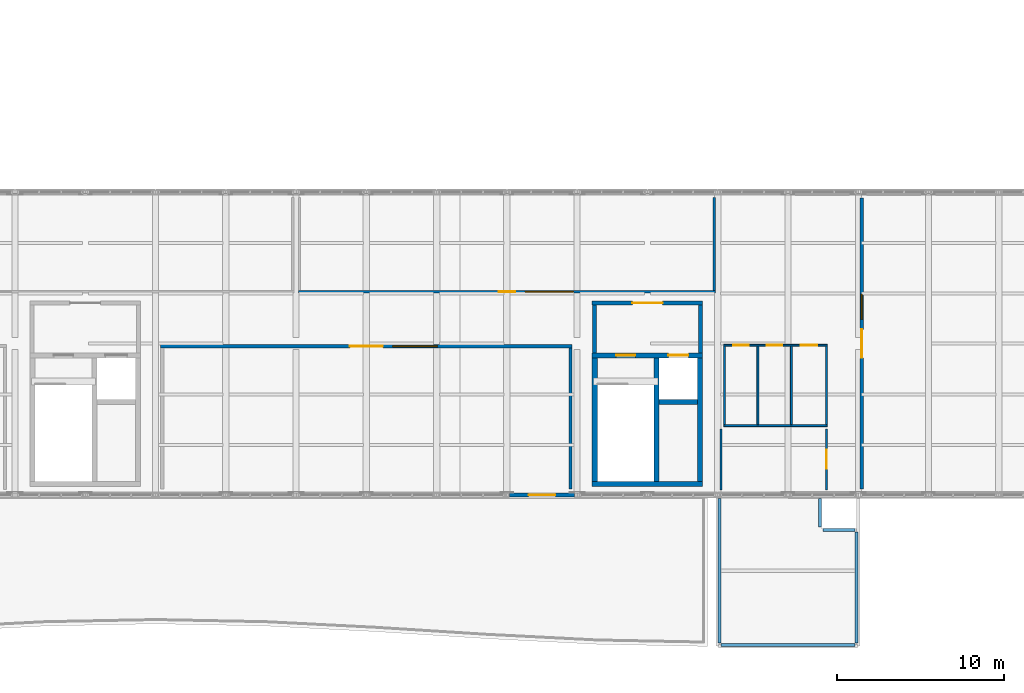
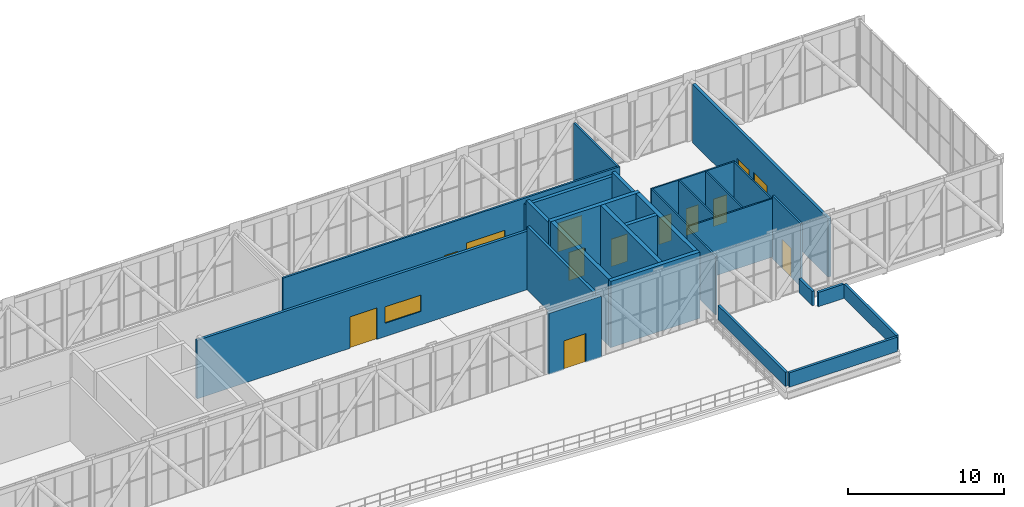
# One storey, part 56 of 58: 28 walls, 11 doors, 3 windows, 14 openings.
"""IFC4 building model written with IfcOpenShell, lengths in metres."""

from ifc_helpers import new_model, si_unit, direction, frame, frame_2d, origin, place, context, subcontext, project, spatial, rectangle, extrude, material, layer, layer_set, type_object, element, fill, save


model = new_model("IFC4")

# Units and contexts
model_context = context("Model", 3, precision=1e-05, world=origin(), true_north=direction((0.0, 1.0)))
body_context = subcontext(model_context, "Body", "Model", "MODEL_VIEW")
ifc_project = project(units=[si_unit("LENGTHUNIT", "METRE"), si_unit("AREAUNIT", "SQUARE_METRE"), si_unit("VOLUMEUNIT", "CUBIC_METRE"), si_unit("PLANEANGLEUNIT", "RADIAN"), si_unit("MASSUNIT", "GRAM", prefix="KILO")], contexts=[model_context])

# Site, building, storey
site_placement = place(None, origin())
site = spatial("IfcSite", under=ifc_project, at=site_placement, CompositionType="ELEMENT")
building_placement = place(site_placement, origin())
building = spatial("IfcBuilding", under=site, at=building_placement, Name="Khurvash Pelagic Aquarium", CompositionType="ELEMENT")
storey_placement = place(building_placement, frame((0.0, 0.0, 24.60009765625)))
storey = spatial("IfcBuildingStorey", under=building, at=storey_placement, Name="L05", CompositionType="ELEMENT", Elevation=24.60009765625)

# Wall, opening, door
ifc_material_1 = material(Name="Glass-fibre reinforced concrete C40/50", Category="concrete")
ifc_layer_1 = layer(ifc_material_1, 0.239990234375)
ifc_layer_set_1 = layer_set([ifc_layer_1], Name="Glass-fibre reinforced concrete C40/50")
wall_type_1 = type_object("IfcWallType", Name="EW-240", PredefinedType="STANDARD", material=ifc_layer_set_1)
wall_1_placement = place(storey_placement, frame((88.360107421875, 11.64990234375, 0.0), z_axis=(0.0, 0.0, 1.0), x_axis=(1.0, 0.0, 0.0)))
wall_1 = element("IfcWall", 1, at=wall_1_placement, inside=storey, type_object=wall_type_1, Name="L05 Sky-Bar South Terrace Portal Wall EW-240 18", PredefinedType="STANDARD", context=body_context, shape_type="SweptSolid", body=[
    extrude(rectangle(XDim=3.8798828125, YDim=0.239990234375, at=frame_2d((1.93994140625, 0.0))), origin(), (0.0, 0.0, 1.0), 4.77978515625),
])
opening_1_placement = place(wall_1_placement, frame((1.139892578125, 0.0, 0.0)))
opening_1 = element("IfcOpeningElement", 2, at=opening_1_placement, cuts=wall_1, Name="Opening ED-03", PredefinedType="OPENING", context=body_context, shape_type="SweptSolid", body=[
    extrude(rectangle(XDim=1.60009765625, YDim=2.25, at=frame_2d((0.800048828125, 1.125))), frame((0.0, 0.1298828125, 0.0), z_axis=(0.0, -1.0, 0.0), x_axis=(1.0, 0.0, 0.0)), (0.0, 0.0, 1.0), 0.260009765625),
])
ifc_material_2 = material(Name="Thermally broken glazed aluminium", Category="aluminium")
door_type_1 = type_object("IfcDoorType", Name="ED-03", OperationType="DOUBLE_DOOR_SINGLE_SWING", PredefinedType="DOOR", material=ifc_material_2)
door_1_placement = place(opening_1_placement, frame((1.60009765625, 0.0, 0.0), z_axis=(0.0, 0.0, 1.0), x_axis=(-1.0, 0.0, 0.0)))
door_1 = element("IfcDoor", 3, at=door_1_placement, inside=storey, type_object=door_type_1, Name="DR-0251", OperationType="DOUBLE_DOOR_SINGLE_SWING", OverallHeight=2.25, OverallWidth=1.60009765625, PredefinedType="DOOR", context=body_context, shape_type="SweptSolid", body=[
    extrude(rectangle(XDim=1.60009765625, YDim=2.25, at=frame_2d((0.800048828125, 1.125))), frame((0.0, 0.02490234375, 0.0), z_axis=(0.0, -1.0, 0.0), x_axis=(1.0, 0.0, 0.0)), (0.0, 0.0, 1.0), 0.050048828125),
])
fill(opening_1, door_1)

# Walls
ifc_material_3 = material(Name="Precast concrete C40/50", Category="concrete")
ifc_layer_2 = layer(ifc_material_3, 0.179931640625)
ifc_layer_set_2 = layer_set([ifc_layer_2], Name="Precast concrete C40/50")
wall_type_2 = type_object("IfcWallType", Name="PP-180", PredefinedType="PARAPET", material=ifc_layer_set_2)
wall_2_placement = place(storey_placement, frame((109.0, 2.699951171875, 0.0), z_axis=(0.0, 0.0, 1.0), x_axis=(-1.0, 0.0, 0.0)))
element("IfcWall", 4, at=wall_2_placement, inside=storey, type_object=wall_type_2, Name="L05 Roof Perimeter Parapet Wall PP-180", PredefinedType="PARAPET", context=body_context, shape_type="SweptSolid", body=[
    extrude(rectangle(XDim=8.0, YDim=0.179931640625, at=frame_2d((4.0, 0.0))), origin(), (0.0, 0.0, 1.0), 1.119873046875),
])
wall_3_placement = place(storey_placement, frame((100.89990234375, 2.800048828125, 0.0), z_axis=(0.0, 0.0, 1.0), x_axis=(0.0, 1.0, 0.0)))
element("IfcWall", 5, at=wall_3_placement, inside=storey, type_object=wall_type_2, Name="L05 Roof Perimeter Parapet Wall PP-180", PredefinedType="PARAPET", context=body_context, shape_type="SweptSolid", body=[
    extrude(rectangle(XDim=8.64990234375, YDim=0.179931640625, at=frame_2d((4.324951171875, 0.0))), origin(), (0.0, 0.0, 1.0), 1.119873046875),
])
wall_4_placement = place(storey_placement, frame((106.89990234375, 11.449951171875, 0.0), z_axis=(0.0, 0.0, 1.0), x_axis=(0.0, -1.0, 0.0)))
element("IfcWall", 6, at=wall_4_placement, inside=storey, type_object=wall_type_2, Name="L05 Roof Perimeter Parapet Wall PP-180", PredefinedType="PARAPET", context=body_context, shape_type="SweptSolid", body=[
    extrude(rectangle(XDim=1.699951171875, YDim=0.179931640625, at=frame_2d((0.85009765625, 0.0))), origin(), (0.0, 0.0, 1.0), 1.119873046875),
])
wall_5_placement = place(storey_placement, frame((107.10009765625, 9.550048828125, 0.0), z_axis=(0.0, 0.0, 1.0), x_axis=(1.0, 0.0, 0.0)))
element("IfcWall", 7, at=wall_5_placement, inside=storey, type_object=wall_type_2, Name="L05 Roof Perimeter Parapet Wall PP-180", PredefinedType="PARAPET", context=body_context, shape_type="SweptSolid", body=[
    extrude(rectangle(XDim=1.89990234375, YDim=0.179931640625, at=frame_2d((0.949951171875, 0.0))), origin(), (0.0, 0.0, 1.0), 1.119873046875),
])
wall_6_placement = place(storey_placement, frame((109.10009765625, 9.449951171875, 0.0), z_axis=(0.0, 0.0, 1.0), x_axis=(0.0, -1.0, 0.0)))
element("IfcWall", 8, at=wall_6_placement, inside=storey, type_object=wall_type_2, Name="L05 Roof Perimeter Parapet Wall PP-180", PredefinedType="PARAPET", context=body_context, shape_type="SweptSolid", body=[
    extrude(rectangle(XDim=6.64990234375, YDim=0.179931640625, at=frame_2d((3.324951171875, 0.0))), origin(), (0.0, 0.0, 1.0), 1.119873046875),
])

# Wall, openings, doors
ifc_material_4 = material(Name="Ceramic-tiled wet-room partition", Category="masonry")
ifc_layer_3 = layer(ifc_material_4, 0.110107421875)
ifc_layer_set_3 = layer_set([ifc_layer_3], Name="Ceramic-tiled wet-room partition")
wall_type_3 = type_object("IfcWallType", Name="PW-110", PredefinedType="PARTITIONING", material=ifc_layer_set_3)
wall_7_placement = place(storey_placement, frame((101.14501953125, 20.60009765625, 0.0), z_axis=(0.0, 0.0, 1.0), x_axis=(1.0, 0.0, 0.0)))
wall_7 = element("IfcWall", 9, at=wall_7_placement, inside=storey, type_object=wall_type_3, Name="L05 Restroom Bank Corridor Wall PW-110", PredefinedType="PARTITIONING", context=body_context, shape_type="SweptSolid", body=[
    extrude(rectangle(XDim=6.2099609375, YDim=0.110107421875, at=frame_2d((3.10498046875, 0.0))), origin(), (0.0, 0.0, 1.0), 4.56787109375),
])
opening_2_placement = place(wall_7_placement, frame((0.594970703125, 0.0, 0.0)))
opening_2 = element("IfcOpeningElement", 10, at=opening_2_placement, cuts=wall_7, Name="Opening ID-01", PredefinedType="OPENING", context=body_context, shape_type="SweptSolid", body=[
    extrude(rectangle(XDim=0.919921875, YDim=2.10009765625, at=frame_2d((0.4599609375, 1.050048828125))), frame((0.0, 0.06494140625, 0.0), z_axis=(0.0, -1.0, 0.0), x_axis=(1.0, 0.0, 0.0)), (0.0, 0.0, 1.0), 0.130126953125),
])
opening_3_placement = place(wall_7_placement, frame((2.594970703125, 0.0, 0.0)))
opening_3 = element("IfcOpeningElement", 11, at=opening_3_placement, cuts=wall_7, Name="Opening ID-01", PredefinedType="OPENING", context=body_context, shape_type="SweptSolid", body=[
    extrude(rectangle(XDim=0.919921875, YDim=2.10009765625, at=frame_2d((0.4599609375, 1.050048828125))), frame((0.0, 0.06494140625, 0.0), z_axis=(0.0, -1.0, 0.0), x_axis=(1.0, 0.0, 0.0)), (0.0, 0.0, 1.0), 0.130126953125),
])
opening_4_placement = place(wall_7_placement, frame((4.60498046875, 0.0, 0.0)))
opening_4 = element("IfcOpeningElement", 12, at=opening_4_placement, cuts=wall_7, Name="Opening ID-02", PredefinedType="OPENING", context=body_context, shape_type="SweptSolid", body=[
    extrude(rectangle(XDim=1.0, YDim=2.14990234375, at=frame_2d((0.5, 1.074951171875))), frame((0.0, 0.06494140625, 0.0), z_axis=(0.0, -1.0, 0.0), x_axis=(1.0, 0.0, 0.0)), (0.0, 0.0, 1.0), 0.130126953125),
])
ifc_material_5 = material(Name="High-pressure laminate solid-core timber", Category="wood")
door_type_2 = type_object("IfcDoorType", Name="ID-01", OperationType="NOTDEFINED", PredefinedType="DOOR", material=ifc_material_5)
door_2_placement = place(opening_2_placement, origin())
door_2 = element("IfcDoor", 13, at=door_2_placement, inside=storey, type_object=door_type_2, Name="DR-0252", OperationType="SINGLE_SWING_LEFT", OverallHeight=2.10009765625, OverallWidth=0.919921875, PredefinedType="DOOR", context=body_context, shape_type="SweptSolid", body=[
    extrude(rectangle(XDim=0.919921875, YDim=2.10009765625, at=frame_2d((0.4599609375, 1.050048828125))), frame((0.0, 0.02490234375, 0.0), z_axis=(0.0, -1.0, 0.0), x_axis=(1.0, 0.0, 0.0)), (0.0, 0.0, 1.0), 0.050048828125),
])
fill(opening_2, door_2)
door_3_placement = place(opening_3_placement, origin())
door_3 = element("IfcDoor", 14, at=door_3_placement, inside=storey, type_object=door_type_2, Name="DR-0253", OperationType="SINGLE_SWING_RIGHT", OverallHeight=2.10009765625, OverallWidth=0.919921875, PredefinedType="DOOR", context=body_context, shape_type="SweptSolid", body=[
    extrude(rectangle(XDim=0.919921875, YDim=2.10009765625, at=frame_2d((0.4599609375, 1.050048828125))), frame((0.0, 0.02490234375, 0.0), z_axis=(0.0, -1.0, 0.0), x_axis=(1.0, 0.0, 0.0)), (0.0, 0.0, 1.0), 0.050048828125),
])
fill(opening_3, door_3)
door_type_3 = type_object("IfcDoorType", Name="ID-02", OperationType="NOTDEFINED", PredefinedType="DOOR", material=ifc_material_5)
door_4_placement = place(opening_4_placement, origin())
door_4 = element("IfcDoor", 15, at=door_4_placement, inside=storey, type_object=door_type_3, Name="DR-0254", OperationType="SINGLE_SWING_LEFT", OverallHeight=2.14990234375, OverallWidth=1.0, PredefinedType="DOOR", context=body_context, shape_type="SweptSolid", body=[
    extrude(rectangle(XDim=1.0, YDim=2.14990234375, at=frame_2d((0.5, 1.074951171875))), frame((0.0, 0.02490234375, 0.0), z_axis=(0.0, -1.0, 0.0), x_axis=(1.0, 0.0, 0.0)), (0.0, 0.0, 1.0), 0.050048828125),
])
fill(opening_4, door_4)

# Walls
wall_8_placement = place(storey_placement, frame((101.14501953125, 15.800048828125, 0.0), z_axis=(0.0, 0.0, 1.0), x_axis=(1.0, 0.0, 0.0)))
element("IfcWall", 16, at=wall_8_placement, inside=storey, type_object=wall_type_3, Name="L05 Restroom Bank Rear Wall PW-110", PredefinedType="PARTITIONING", context=body_context, shape_type="SweptSolid", body=[
    extrude(rectangle(XDim=6.2099609375, YDim=0.110107421875, at=frame_2d((3.10498046875, 0.0))), origin(), (0.0, 0.0, 1.0), 4.56787109375),
])
for number, where, z_axis, x_axis, name in (
    (17, (101.199951171875, 15.85498046875, 0.0), (0.0, 0.0, 1.0), (0.0, 1.0, 0.0), "L05 Restroom Divider Partition PW-110"),
    (18, (103.199951171875, 15.85498046875, 0.0), (0.0, 0.0, 1.0), (0.0, 1.0, 0.0), "L05 Restroom Divider Partition PW-110"),
    (19, (105.199951171875, 15.85498046875, 0.0), (0.0, 0.0, 1.0), (0.0, 1.0, 0.0), "L05 Restroom Divider Partition PW-110"),
    (20, (107.300048828125, 15.85498046875, 0.0), (0.0, 0.0, 1.0), (0.0, 1.0, 0.0), "L05 Restroom Divider Partition PW-110"),
):
    element("IfcWall", number, at=place(storey_placement, frame(where, z_axis=z_axis, x_axis=x_axis)), inside=storey, type_object=wall_type_3, Name=name, PredefinedType="PARTITIONING", context=body_context, shape_type="SweptSolid", body=[
        extrude(rectangle(XDim=4.68994140625, YDim=0.110107421875, at=frame_2d((2.344970703125, 0.0))), origin(), (0.0, 0.0, 1.0), 4.56787109375),
    ])

# Wall, opening, door
ifc_material_6 = material(Name="Moisture-resistant gypsum and steel stud", Category="steel")
ifc_layer_4 = layer(ifc_material_6, 0.125)
ifc_layer_set_4 = layer_set([ifc_layer_4], Name="Moisture-resistant gypsum and steel stud")
wall_type_4 = type_object("IfcWallType", Name="PW-125", PredefinedType="PARTITIONING", material=ifc_layer_set_4)
wall_9_placement = place(storey_placement, frame((107.300048828125, 11.962890625, 0.0), z_axis=(0.0, 0.0, 1.0), x_axis=(0.0, 1.0, 0.0)))
wall_9 = element("IfcWall", 21, at=wall_9_placement, inside=storey, type_object=wall_type_4, Name="L05 Pelagic Plankton Bioluminescence Alcove Partition Wall PW-125", PredefinedType="PARTITIONING", context=body_context, shape_type="SweptSolid", body=[
    extrude(rectangle(XDim=3.625, YDim=0.125, at=frame_2d((1.8125, 0.0))), origin(), (0.0, 0.0, 1.0), 4.93994140625),
])
opening_5_placement = place(wall_9_placement, frame((1.242919921875, 0.0, 0.0)))
opening_5 = element("IfcOpeningElement", 22, at=opening_5_placement, cuts=wall_9, Name="Opening ID-40", PredefinedType="OPENING", context=body_context, shape_type="SweptSolid", body=[
    extrude(rectangle(XDim=1.139892578125, YDim=2.280029296875, at=frame_2d((0.56982421875, 1.14013671875))), frame((0.0, 0.072509765625, 0.0), z_axis=(0.0, -1.0, 0.0), x_axis=(1.0, 0.0, 0.0)), (0.0, 0.0, 1.0), 0.14501953125),
])
ifc_material_7 = material(Name="FRP husbandry prep door", Category="wood")
door_type_4 = type_object("IfcDoorType", Name="ID-40", OperationType="NOTDEFINED", PredefinedType="DOOR", material=ifc_material_7)
door_5_placement = place(opening_5_placement, origin())
door_5 = element("IfcDoor", 23, at=door_5_placement, inside=storey, type_object=door_type_4, Name="DR-0255", OperationType="SINGLE_SWING_RIGHT", OverallHeight=2.280029296875, OverallWidth=1.139892578125, PredefinedType="DOOR", context=body_context, shape_type="SweptSolid", body=[
    extrude(rectangle(XDim=1.139892578125, YDim=2.280029296875, at=frame_2d((0.56982421875, 1.14013671875))), frame((0.0, 0.02490234375, 0.0), z_axis=(0.0, -1.0, 0.0), x_axis=(1.0, 0.0, 0.0)), (0.0, 0.0, 1.0), 0.050048828125),
])
fill(opening_5, door_5)

# Wall
wall_10_placement = place(storey_placement, frame((101.0, 11.962890625, 0.0), z_axis=(0.0, 0.0, 1.0), x_axis=(0.0, 1.0, 0.0)))
element("IfcWall", 24, at=wall_10_placement, inside=storey, type_object=wall_type_4, Name="L05 Pelagic Plankton Bioluminescence Alcove Partition Wall PW-125", PredefinedType="PARTITIONING", context=body_context, shape_type="SweptSolid", body=[
    extrude(rectangle(XDim=3.625, YDim=0.125, at=frame_2d((1.8125, 0.0))), origin(), (0.0, 0.0, 1.0), 4.56787109375),
])

# Wall, openings, door, window
ifc_layer_5 = layer(ifc_material_6, 0.139892578125)
ifc_layer_set_5 = layer_set([ifc_layer_5], Name="Moisture-resistant gypsum and steel stud")
wall_type_5 = type_object("IfcWallType", Name="PW-140", PredefinedType="PARTITIONING", material=ifc_layer_set_5)
wall_11_placement = place(storey_placement, frame((75.72998046875, 23.800048828125, 0.0), z_axis=(0.0, 0.0, 1.0), x_axis=(1.0, 0.0, 0.0)))
wall_11 = element("IfcWall", 25, at=wall_11_placement, inside=storey, type_object=wall_type_5, Name="L05 Sky-Bar Marine Conservation Briefing Room Partition Wall PW-140", PredefinedType="PARTITIONING", context=body_context, shape_type="SweptSolid", body=[
    extrude(rectangle(XDim=24.93994140625, YDim=0.139892578125, at=frame_2d((12.469970703125, 0.0))), origin(), (0.0, 0.0, 1.0), 4.56787109375),
])
opening_6_placement = place(wall_11_placement, frame((11.969970703125, 0.0, 0.0)))
opening_6 = element("IfcOpeningElement", 26, at=opening_6_placement, cuts=wall_11, Name="Opening ID-02", PredefinedType="OPENING", context=body_context, shape_type="SweptSolid", body=[
    extrude(rectangle(XDim=1.0, YDim=2.14990234375, at=frame_2d((0.5, 1.074951171875))), frame((0.0, 0.080078125, 0.0), z_axis=(0.0, -1.0, 0.0), x_axis=(1.0, 0.0, 0.0)), (0.0, 0.0, 1.0), 0.159912109375),
])
opening_7_placement = place(wall_11_placement, frame((13.570068359375, 0.0, 1.0498046875)))
opening_7 = element("IfcOpeningElement", 27, at=opening_7_placement, cuts=wall_11, Name="Opening IW-18", PredefinedType="OPENING", context=body_context, shape_type="SweptSolid", body=[
    extrude(rectangle(XDim=2.85009765625, YDim=1.52001953125, at=frame_2d((1.425048828125, 0.760009765625))), frame((0.0, 0.080078125, 0.0), z_axis=(0.0, -1.0, 0.0), x_axis=(1.0, 0.0, 0.0)), (0.0, 0.0, 1.0), 0.159912109375),
])
door_6_placement = place(opening_6_placement, origin())
door_6 = element("IfcDoor", 28, at=door_6_placement, inside=storey, type_object=door_type_3, Name="DR-0260", OperationType="SINGLE_SWING_LEFT", OverallHeight=2.14990234375, OverallWidth=1.0, PredefinedType="DOOR", context=body_context, shape_type="SweptSolid", body=[
    extrude(rectangle(XDim=1.0, YDim=2.14990234375, at=frame_2d((0.5, 1.074951171875))), frame((0.0, 0.02490234375, 0.0), z_axis=(0.0, -1.0, 0.0), x_axis=(1.0, 0.0, 0.0)), (0.0, 0.0, 1.0), 0.050048828125),
])
fill(opening_6, door_6)
ifc_material_8 = material(Name="Acoustic laminated interior observation glazing", Category="glass")
window_type_1 = type_object("IfcWindowType", Name="IW-18", PartitioningType="SINGLE_PANEL", PredefinedType="WINDOW", material=ifc_material_8)
window_1_placement = place(opening_7_placement, origin())
window_1 = element("IfcWindow", 29, at=window_1_placement, inside=storey, type_object=window_type_1, Name="L05 Sky-Bar Marine Conservation Briefing Room Observation Window IW-18", OverallHeight=1.52001953125, OverallWidth=2.85009765625, PartitioningType="SINGLE_PANEL", PredefinedType="WINDOW", context=body_context, shape_type="SweptSolid", body=[
    extrude(rectangle(XDim=2.85009765625, YDim=1.52001953125, at=frame_2d((1.425048828125, 0.760009765625))), frame((0.0, 0.030029296875, 0.0), z_axis=(0.0, -1.0, 0.0), x_axis=(1.0, 0.0, 0.0)), (0.0, 0.0, 1.0), 0.06005859375),
])
fill(opening_7, window_1)

# Wall
wall_12_placement = place(storey_placement, frame((100.60009765625, 23.8701171875, 0.0), z_axis=(0.0, 0.0, 1.0), x_axis=(0.0, 1.0, 0.0)))
element("IfcWall", 30, at=wall_12_placement, inside=storey, type_object=wall_type_5, Name="L05 Sky-Bar Marine Conservation Briefing Room Partition Wall PW-140", PredefinedType="PARTITIONING", context=body_context, shape_type="SweptSolid", body=[
    extrude(rectangle(XDim=5.559814453125, YDim=0.139892578125, at=frame_2d((2.77978515625, 0.0))), origin(), (0.0, 0.0, 1.0), 4.56787109375),
])

# Wall, openings, door, window
ifc_material_9 = material(Name="AAC blockwork", Category="masonry")
ifc_layer_6 = layer(ifc_material_9, 0.199951171875)
ifc_layer_set_6 = layer_set([ifc_layer_6], Name="AAC blockwork")
wall_type_6 = type_object("IfcWallType", Name="PW-200", PredefinedType="PARTITIONING", material=ifc_layer_set_6)
wall_13_placement = place(storey_placement, frame((67.5, 20.550048828125, 0.0), z_axis=(0.0, 0.0, 1.0), x_axis=(1.0, 0.0, 0.0)))
wall_13 = element("IfcWall", 31, at=wall_13_placement, inside=storey, type_object=wall_type_6, Name="L05 Monsoon Coastal Bird and Crab Gallery Partition Wall PW-200", PredefinedType="PARTITIONING", context=body_context, shape_type="SweptSolid", body=[
    extrude(rectangle(XDim=24.60009765625, YDim=0.199951171875, at=frame_2d((12.300048828125, 0.0))), origin(), (0.0, 0.0, 1.0), 4.56787109375),
])
opening_8_placement = place(wall_13_placement, frame((11.31005859375, 0.0, 0.0)))
opening_8 = element("IfcOpeningElement", 32, at=opening_8_placement, cuts=wall_13, Name="Opening ID-36", PredefinedType="OPENING", context=body_context, shape_type="SweptSolid", body=[
    extrude(rectangle(XDim=1.97998046875, YDim=2.4599609375, at=frame_2d((0.989990234375, 1.22998046875))), frame((0.0, 0.10986328125, 0.0), z_axis=(0.0, -1.0, 0.0), x_axis=(1.0, 0.0, 0.0)), (0.0, 0.0, 1.0), 0.219970703125),
])
opening_9_placement = place(wall_13_placement, frame((13.889892578125, 0.0, 1.0498046875)))
opening_9 = element("IfcOpeningElement", 33, at=opening_9_placement, cuts=wall_13, Name="Opening IW-17", PredefinedType="OPENING", context=body_context, shape_type="SweptSolid", body=[
    extrude(rectangle(XDim=2.64990234375, YDim=1.280029296875, at=frame_2d((1.324951171875, 0.64013671875))), frame((0.0, 0.10986328125, 0.0), z_axis=(0.0, -1.0, 0.0), x_axis=(1.0, 0.0, 0.0)), (0.0, 0.0, 1.0), 0.219970703125),
])
ifc_material_10 = material(Name="Wetlands gallery double door", Category="wood")
door_type_5 = type_object("IfcDoorType", Name="ID-36", OperationType="DOUBLE_DOOR_SINGLE_SWING", PredefinedType="DOOR", material=ifc_material_10)
door_7_placement = place(opening_8_placement, frame((1.97998046875, 0.0, 0.0), z_axis=(0.0, 0.0, 1.0), x_axis=(-1.0, 0.0, 0.0)))
door_7 = element("IfcDoor", 34, at=door_7_placement, inside=storey, type_object=door_type_5, Name="DR-0259", OperationType="DOUBLE_DOOR_SINGLE_SWING", OverallHeight=2.4599609375, OverallWidth=1.97998046875, PredefinedType="DOOR", context=body_context, shape_type="SweptSolid", body=[
    extrude(rectangle(XDim=1.97998046875, YDim=2.4599609375, at=frame_2d((0.989990234375, 1.22998046875))), frame((0.0, 0.02490234375, 0.0), z_axis=(0.0, -1.0, 0.0), x_axis=(1.0, 0.0, 0.0)), (0.0, 0.0, 1.0), 0.050048828125),
])
fill(opening_8, door_7)
window_type_2 = type_object("IfcWindowType", Name="IW-17", PartitioningType="SINGLE_PANEL", PredefinedType="WINDOW", material=ifc_material_8)
window_2_placement = place(opening_9_placement, origin())
window_2 = element("IfcWindow", 35, at=window_2_placement, inside=storey, type_object=window_type_2, Name="L05 Monsoon Coastal Bird and Crab Gallery Observation Window IW-17", OverallHeight=1.280029296875, OverallWidth=2.64990234375, PartitioningType="SINGLE_PANEL", PredefinedType="WINDOW", context=body_context, shape_type="SweptSolid", body=[
    extrude(rectangle(XDim=2.64990234375, YDim=1.280029296875, at=frame_2d((1.324951171875, 0.64013671875))), frame((0.0, 0.030029296875, 0.0), z_axis=(0.0, -1.0, 0.0), x_axis=(1.0, 0.0, 0.0)), (0.0, 0.0, 1.0), 0.06005859375),
])
fill(opening_9, window_2)

# Wall
wall_14_placement = place(storey_placement, frame((92.0, 12.0, 0.0), z_axis=(0.0, 0.0, 1.0), x_axis=(0.0, 1.0, 0.0)))
element("IfcWall", 36, at=wall_14_placement, inside=storey, type_object=wall_type_6, Name="L05 Monsoon Coastal Bird and Crab Gallery Partition Wall PW-200", PredefinedType="PARTITIONING", context=body_context, shape_type="SweptSolid", body=[
    extrude(rectangle(XDim=8.449951171875, YDim=0.199951171875, at=frame_2d((4.22509765625, 0.0))), origin(), (0.0, 0.0, 1.0), 4.93994140625),
])

# Wall, openings, door, window
ifc_layer_7 = layer(ifc_material_9, 0.215087890625)
ifc_layer_set_7 = layer_set([ifc_layer_7], Name="AAC blockwork")
wall_type_7 = type_object("IfcWallType", Name="PW-215", PredefinedType="PARTITIONING", material=ifc_layer_set_7)
wall_15_placement = place(storey_placement, frame((109.39990234375, 12.008056640625, 0.0), z_axis=(0.0, 0.0, 1.0), x_axis=(0.0, 1.0, 0.0)))
wall_15 = element("IfcWall", 37, at=wall_15_placement, inside=storey, type_object=wall_type_7, Name="L05 East Cantilever Wave-Shell Overlook Lounge Partition Wall PW-215", PredefinedType="PARTITIONING", context=body_context, shape_type="SweptSolid", body=[
    extrude(rectangle(XDim=17.384033203125, YDim=0.215087890625, at=frame_2d((8.69189453125, 0.0))), origin(), (0.0, 0.0, 1.0), 4.56787109375),
])
opening_10_placement = place(wall_15_placement, frame((7.842041015625, 0.0, 0.0)))
opening_10 = element("IfcOpeningElement", 38, at=opening_10_placement, cuts=wall_15, Name="Opening ID-45", PredefinedType="OPENING", context=body_context, shape_type="SweptSolid", body=[
    extrude(rectangle(XDim=1.699951171875, YDim=2.419921875, at=frame_2d((0.85009765625, 1.2099609375))), frame((0.0, 0.11767578125, 0.0), z_axis=(0.0, -1.0, 0.0), x_axis=(1.0, 0.0, 0.0)), (0.0, 0.0, 1.0), 0.235107421875),
])
opening_11_placement = place(wall_15_placement, frame((10.14208984375, 0.0, 1.0498046875)))
opening_11 = element("IfcOpeningElement", 39, at=opening_11_placement, cuts=wall_15, Name="Opening IW-01", PredefinedType="OPENING", context=body_context, shape_type="SweptSolid", body=[
    extrude(rectangle(XDim=1.5, YDim=1.199951171875, at=frame_2d((0.75, 0.60009765625))), frame((0.0, 0.11767578125, 0.0), z_axis=(0.0, -1.0, 0.0), x_axis=(1.0, 0.0, 0.0)), (0.0, 0.0, 1.0), 0.235107421875),
])
ifc_material_11 = material(Name="Kelp gallery double door", Category="wood")
door_type_6 = type_object("IfcDoorType", Name="ID-45", OperationType="DOUBLE_DOOR_SINGLE_SWING", PredefinedType="DOOR", material=ifc_material_11)
door_8_placement = place(opening_10_placement, frame((1.699951171875, 0.0, 0.0), z_axis=(0.0, 0.0, 1.0), x_axis=(-1.0, 0.0, 0.0)))
door_8 = element("IfcDoor", 40, at=door_8_placement, inside=storey, type_object=door_type_6, Name="DR-0261", OperationType="DOUBLE_DOOR_SINGLE_SWING", OverallHeight=2.419921875, OverallWidth=1.699951171875, PredefinedType="DOOR", context=body_context, shape_type="SweptSolid", body=[
    extrude(rectangle(XDim=1.699951171875, YDim=2.419921875, at=frame_2d((0.85009765625, 1.2099609375))), frame((0.0, 0.02490234375, 0.0), z_axis=(0.0, -1.0, 0.0), x_axis=(1.0, 0.0, 0.0)), (0.0, 0.0, 1.0), 0.050048828125),
])
fill(opening_10, door_8)
window_type_3 = type_object("IfcWindowType", Name="IW-01", PartitioningType="SINGLE_PANEL", PredefinedType="WINDOW", material=ifc_material_8)
window_3_placement = place(opening_11_placement, origin())
window_3 = element("IfcWindow", 41, at=window_3_placement, inside=storey, type_object=window_type_3, Name="L05 East Cantilever Wave-Shell Overlook Lounge Observation Window IW-01", OverallHeight=1.199951171875, OverallWidth=1.5, PartitioningType="SINGLE_PANEL", PredefinedType="WINDOW", context=body_context, shape_type="SweptSolid", body=[
    extrude(rectangle(XDim=1.5, YDim=1.199951171875, at=frame_2d((0.75, 0.60009765625))), frame((0.0, 0.030029296875, 0.0), z_axis=(0.0, -1.0, 0.0), x_axis=(1.0, 0.0, 0.0)), (0.0, 0.0, 1.0), 0.06005859375),
])
fill(opening_11, window_3)

# Wall, opening, door
ifc_layer_8 = layer(ifc_material_9, 0.25)
ifc_layer_set_8 = layer_set([ifc_layer_8], Name="AAC blockwork")
wall_type_8 = type_object("IfcWallType", Name="PW-250", PredefinedType="PARTITIONING", material=ifc_layer_set_8)
wall_16_placement = place(storey_placement, frame((93.300048828125, 23.125, 0.0), z_axis=(0.0, 0.0, 1.0), x_axis=(1.0, 0.0, 0.0)))
wall_16 = element("IfcWall", 42, at=wall_16_placement, inside=storey, type_object=wall_type_8, Name="L05 Core C3 Lobby Front Fire Wall PW-250", PredefinedType="PARTITIONING", context=body_context, shape_type="SweptSolid", body=[
    extrude(rectangle(XDim=6.599853515625, YDim=0.25, at=frame_2d((3.2998046875, 0.0))), origin(), (0.0, 0.0, 1.0), 4.56787109375),
])
opening_12_placement = place(wall_16_placement, frame((2.39990234375, 0.0, 0.0)))
opening_12 = element("IfcOpeningElement", 43, at=opening_12_placement, cuts=wall_16, Name="Opening FD-02", PredefinedType="OPENING", context=body_context, shape_type="SweptSolid", body=[
    extrude(rectangle(XDim=1.800048828125, YDim=2.25, at=frame_2d((0.89990234375, 1.125))), frame((0.0, 0.135009765625, 0.0), z_axis=(0.0, -1.0, 0.0), x_axis=(1.0, 0.0, 0.0)), (0.0, 0.0, 1.0), 0.27001953125),
])
ifc_material_12 = material(Name="Galvanised steel double fire door", Category="steel")
door_type_7 = type_object("IfcDoorType", Name="FD-02", OperationType="DOUBLE_DOOR_SINGLE_SWING", PredefinedType="DOOR", material=ifc_material_12)
door_9_placement = place(opening_12_placement, origin())
door_9 = element("IfcDoor", 44, at=door_9_placement, inside=storey, type_object=door_type_7, Name="DR-0264", OperationType="DOUBLE_DOOR_SINGLE_SWING", OverallHeight=2.25, OverallWidth=1.800048828125, PredefinedType="DOOR", context=body_context, shape_type="SweptSolid", body=[
    extrude(rectangle(XDim=1.800048828125, YDim=2.25, at=frame_2d((0.89990234375, 1.125))), frame((0.0, 0.02490234375, 0.0), z_axis=(0.0, -1.0, 0.0), x_axis=(1.0, 0.0, 0.0)), (0.0, 0.0, 1.0), 0.050048828125),
])
fill(opening_12, door_9)

# Walls
for number, where, z_axis, x_axis, name in (
    (45, (93.425048828125, 20.14990234375, 0.0), (0.0, 0.0, 1.0), (0.0, 1.0, 0.0), "L05 Core C3 Lobby West Fire Wall PW-250"),
    (46, (99.77490234375, 20.14990234375, 0.0), (0.0, 0.0, 1.0), (0.0, 1.0, 0.0), "L05 Core C3 Lobby East Fire Wall PW-250"),
):
    element("IfcWall", number, at=place(storey_placement, frame(where, z_axis=z_axis, x_axis=x_axis)), inside=storey, type_object=wall_type_8, Name=name, PredefinedType="PARTITIONING", context=body_context, shape_type="SweptSolid", body=[
        extrude(rectangle(XDim=2.85009765625, YDim=0.25, at=frame_2d((1.425048828125, 0.0))), origin(), (0.0, 0.0, 1.0), 4.93994140625),
    ])
ifc_material_13 = material(Name="Concrete C40/50", Category="concrete")
ifc_layer_9 = layer(ifc_material_13, 0.27490234375)
ifc_layer_set_9 = layer_set([ifc_layer_9], Name="Concrete C40/50")
wall_type_9 = type_object("IfcWallType", Name="SW-275", PredefinedType="SHEAR", material=ifc_layer_set_9)
wall_17_placement = place(storey_placement, frame((97.300048828125, 17.212890625, 0.0), z_axis=(0.0, 0.0, 1.0), x_axis=(1.0, 0.0, 0.0)))
element("IfcWall", 47, at=wall_17_placement, inside=storey, type_object=wall_type_9, Name="L05 Lift FL-02 Shaft Rear Shear Wall SW-275", PredefinedType="SHEAR", context=body_context, shape_type="SweptSolid", body=[
    extrude(rectangle(XDim=2.300048828125, YDim=0.27490234375, at=frame_2d((1.14990234375, 0.0))), origin(), (0.0, 0.0, 1.0), 5.179931640625),
])
ifc_layer_10 = layer(ifc_material_13, 0.300048828125)
ifc_layer_set_10 = layer_set([ifc_layer_10], Name="Concrete C40/50")
wall_type_10 = type_object("IfcWallType", Name="SW-300", PredefinedType="SHEAR", material=ifc_layer_set_10)
wall_18_placement = place(storey_placement, frame((93.300048828125, 12.300048828125, 0.0), z_axis=(0.0, 0.0, 1.0), x_axis=(1.0, 0.0, 0.0)))
element("IfcWall", 48, at=wall_18_placement, inside=storey, type_object=wall_type_10, Name="L05 Core C3 South Shear Wall SW-300", PredefinedType="SHEAR", context=body_context, shape_type="SweptSolid", body=[
    extrude(rectangle(XDim=6.599853515625, YDim=0.300048828125, at=frame_2d((3.2998046875, 0.0))), origin(), (0.0, 0.0, 1.0), 5.179931640625),
])

# Wall, openings, doors
wall_19_placement = place(storey_placement, frame((93.300048828125, 20.0, 0.0), z_axis=(0.0, 0.0, 1.0), x_axis=(1.0, 0.0, 0.0)))
wall_19 = element("IfcWall", 49, at=wall_19_placement, inside=storey, type_object=wall_type_10, Name="L05 Core C3 North Shear Wall SW-300", PredefinedType="SHEAR", context=body_context, shape_type="SweptSolid", body=[
    extrude(rectangle(XDim=6.599853515625, YDim=0.300048828125, at=frame_2d((3.2998046875, 0.0))), origin(), (0.0, 0.0, 1.0), 5.179931640625),
])
opening_13_placement = place(wall_19_placement, frame((1.425048828125, 0.0, 0.0)))
opening_13 = element("IfcOpeningElement", 50, at=opening_13_placement, cuts=wall_19, Name="Opening FD-01", PredefinedType="OPENING", context=body_context, shape_type="SweptSolid", body=[
    extrude(rectangle(XDim=1.14990234375, YDim=2.199951171875, at=frame_2d((0.574951171875, 1.10009765625))), frame((0.0, 0.16015625, 0.0), z_axis=(0.0, -1.0, 0.0), x_axis=(1.0, 0.0, 0.0)), (0.0, 0.0, 1.0), 0.320068359375),
])
opening_14_placement = place(wall_19_placement, frame((4.550048828125, 0.0, 0.0)))
opening_14 = element("IfcOpeningElement", 51, at=opening_14_placement, cuts=wall_19, Name="Opening LD-01", PredefinedType="OPENING", context=body_context, shape_type="SweptSolid", body=[
    extrude(rectangle(XDim=1.199951171875, YDim=2.14990234375, at=frame_2d((0.60009765625, 1.074951171875))), frame((0.0, 0.16015625, 0.0), z_axis=(0.0, -1.0, 0.0), x_axis=(1.0, 0.0, 0.0)), (0.0, 0.0, 1.0), 0.320068359375),
])
ifc_material_14 = material(Name="Galvanised steel fire door", Category="steel")
door_type_8 = type_object("IfcDoorType", Name="FD-01", OperationType="NOTDEFINED", PredefinedType="DOOR", material=ifc_material_14)
door_10_placement = place(opening_13_placement, frame((1.14990234375, 0.0, 0.0), z_axis=(0.0, 0.0, 1.0), x_axis=(-1.0, 0.0, 0.0)))
door_10 = element("IfcDoor", 52, at=door_10_placement, inside=storey, type_object=door_type_8, Name="DR-0246", OperationType="SINGLE_SWING_RIGHT", OverallHeight=2.199951171875, OverallWidth=1.14990234375, PredefinedType="DOOR", context=body_context, shape_type="SweptSolid", body=[
    extrude(rectangle(XDim=1.14990234375, YDim=2.199951171875, at=frame_2d((0.574951171875, 1.10009765625))), frame((0.0, 0.02490234375, 0.0), z_axis=(0.0, -1.0, 0.0), x_axis=(1.0, 0.0, 0.0)), (0.0, 0.0, 1.0), 0.050048828125),
])
fill(opening_13, door_10)
ifc_material_15 = material(Name="Brushed stainless steel 316 lift landing door", Category="steel")
door_type_9 = type_object("IfcDoorType", Name="LD-01", OperationType="DOUBLE_DOOR_SLIDING", PredefinedType="DOOR", material=ifc_material_15)
door_11_placement = place(opening_14_placement, origin())
door_11 = element("IfcDoor", 53, at=door_11_placement, inside=storey, type_object=door_type_9, Name="DR-0249", OperationType="DOUBLE_DOOR_SLIDING", OverallHeight=2.14990234375, OverallWidth=1.199951171875, PredefinedType="DOOR", context=body_context, shape_type="SweptSolid", body=[
    extrude(rectangle(XDim=1.199951171875, YDim=2.14990234375, at=frame_2d((0.60009765625, 1.074951171875))), frame((0.0, 0.02490234375, 0.0), z_axis=(0.0, -1.0, 0.0), x_axis=(1.0, 0.0, 0.0)), (0.0, 0.0, 1.0), 0.050048828125),
])
fill(opening_14, door_11)

# Walls
for number, where, z_axis, x_axis, name in (
    (54, (93.449951171875, 12.449951171875, 0.0), (0.0, 0.0, 1.0), (0.0, 1.0, 0.0), "L05 Core C3 West Shear Wall SW-300"),
    (55, (99.75, 12.449951171875, 0.0), (0.0, 0.0, 1.0), (0.0, 1.0, 0.0), "L05 Core C3 East Shear Wall SW-300"),
    (56, (97.14990234375, 12.449951171875, 0.0), (0.0, 0.0, 1.0), (0.0, 1.0, 0.0), "L05 Core C3 Divider Shear Wall SW-300"),
):
    element("IfcWall", number, at=place(storey_placement, frame(where, z_axis=z_axis, x_axis=x_axis)), inside=storey, type_object=wall_type_10, Name=name, PredefinedType="SHEAR", context=body_context, shape_type="SweptSolid", body=[
        extrude(rectangle(XDim=7.400146484375, YDim=0.300048828125, at=frame_2d((3.7001953125, 0.0))), origin(), (0.0, 0.0, 1.0), 5.179931640625),
    ])

save(model, "model.ifc")
